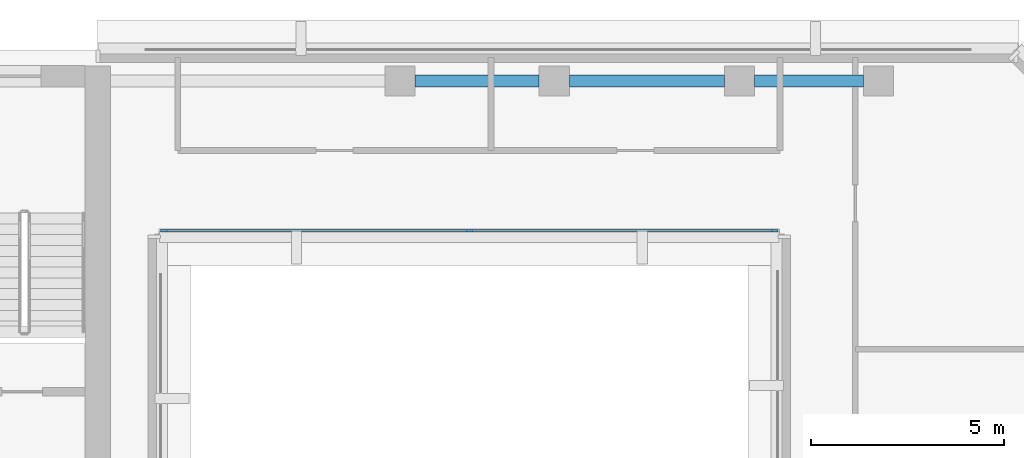
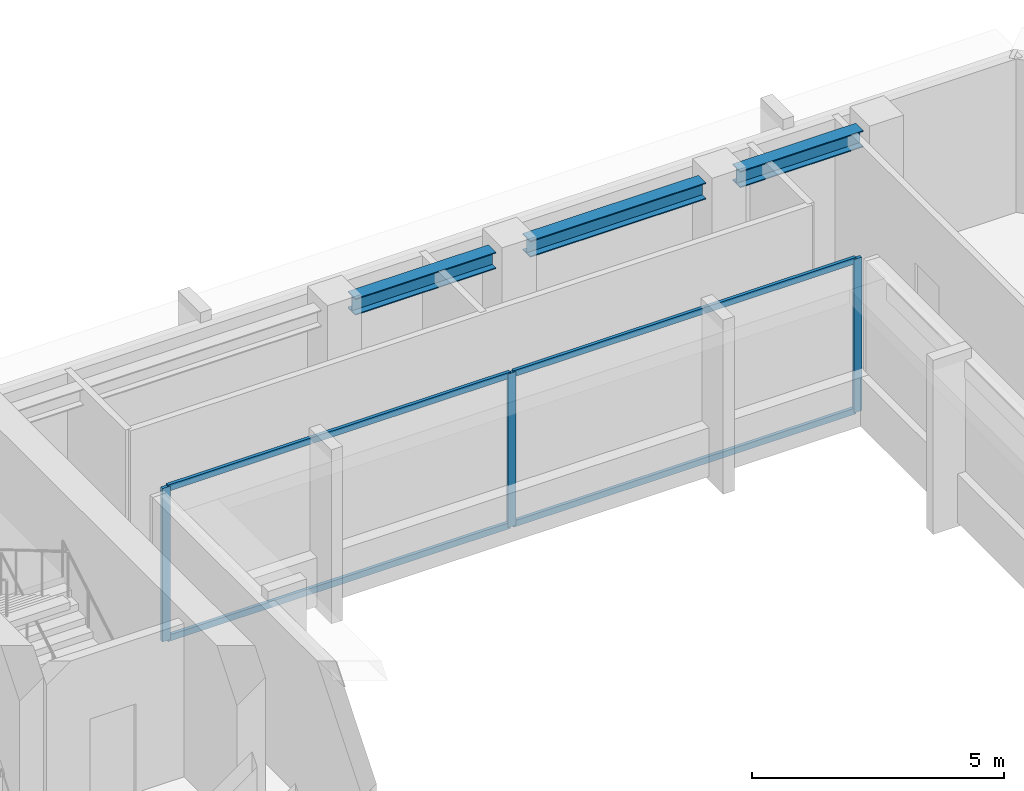
# One storey, part 4 of 11: 7 members, 3 beams, 1 element without a shape of its own.
"""IFC4 building model written with IfcOpenShell, lengths in metres."""

import ifcopenshell
import ifcopenshell.guid

model = None  # the IFC model being written
_history = None  # IfcOwnerHistory: only IFC2X3 demands one
_inside = {}  # id of a spatial element -> (the spatial element, [elements in it])
_under = {}  # id of a project, library or spatial element -> (it, [spatial elements below it])
_declared = {}  # id of a project -> (the project, [libraries it declares])
_typed = {}  # id of a type object -> (the type object, [elements of that type])
_made_of = {}  # id of a material, layer set ... -> (it, [elements and type objects made of it])


def new_model(schema):
    """Start an empty IFC model of exactly this schema.

    Asked for "IFC4X3", IfcOpenShell would pick the latest addendum, in which some entities
    have other attributes; the version numbers below select the first issue.
    IFC2X3 requires an IfcOwnerHistory on every rooted entity: one is made here for all.
    """
    global model, _history
    if schema == "IFC4X3":
        model = ifcopenshell.file(schema_version=(4, 3, 0, 0))
    else:
        model = ifcopenshell.file(schema=schema)
    _inside.clear()
    _under.clear()
    _declared.clear()
    _typed.clear()
    _made_of.clear()
    _history = None
    if model.schema == "IFC2X3":
        org = make("IfcOrganization", Name="unknown")
        user = make(
            "IfcPersonAndOrganization",
            ThePerson=make("IfcPerson", FamilyName="unknown"),
            TheOrganization=org,
        )
        app = make(
            "IfcApplication",
            ApplicationDeveloper=org,
            Version="unknown",
            ApplicationFullName="unknown",
            ApplicationIdentifier="unknown",
        )
        _history = make(
            "IfcOwnerHistory",
            OwningUser=user,
            OwningApplication=app,
            ChangeAction="ADDED",
            CreationDate=0,
        )
    return model


def make(cls, **values):
    """One entity of the class cls with the attributes given. An attribute that is None is left unset."""
    return model.create_entity(
        cls, **{name: value for name, value in values.items() if value is not None}
    )


def rooted(cls, **values):
    """An entity with a GlobalId (a new one), such as an element, a storey or a relation."""
    return make(cls, GlobalId=ifcopenshell.guid.new(), OwnerHistory=_history, **values)


def si_unit(unit_type, name, prefix=None):
    """IfcSIUnit, for example si_unit("LENGTHUNIT", "METRE", prefix="MILLI")."""
    return make("IfcSIUnit", UnitType=unit_type, Prefix=prefix, Name=name)


def assignment(units):
    """IfcUnitAssignment: the units of a project."""
    return None if units is None else make("IfcUnitAssignment", Units=units)


def point(xyz):
    """IfcCartesianPoint."""
    return None if xyz is None else make("IfcCartesianPoint", Coordinates=xyz)


def direction(xyz):
    """IfcDirection."""
    return None if xyz is None else make("IfcDirection", DirectionRatios=xyz)


def frame(location, z_axis=None, x_axis=None):
    """IfcAxis2Placement3D, a coordinate frame: its origin and axes. An axis left out is left unset."""
    return make(
        "IfcAxis2Placement3D",
        Location=point(location),
        Axis=direction(z_axis),
        RefDirection=direction(x_axis),
    )


def frame_2d(location, x_axis=None):
    """IfcAxis2Placement2D, a coordinate frame in the plane: its origin and x axis."""
    return make(
        "IfcAxis2Placement2D", Location=point(location), RefDirection=direction(x_axis)
    )


def origin():
    """The frame at (0, 0, 0) with its axes left unset."""
    return frame((0.0, 0.0, 0.0))


def origin_2d():
    """The frame at (0, 0) in the plane with its x axis left unset."""
    return frame_2d((0.0, 0.0))


def place(relative_to, where):
    """IfcLocalPlacement: puts the frame where relative to a parent placement (None: the world)."""
    return make(
        "IfcLocalPlacement", PlacementRelTo=relative_to, RelativePlacement=where
    )


def context(
    kind, dimensions, precision=None, world=None, true_north=None, identifier=None
):
    """IfcGeometricRepresentationContext, for example the 3D "Model" context."""
    return make(
        "IfcGeometricRepresentationContext",
        ContextIdentifier=identifier,
        ContextType=kind,
        CoordinateSpaceDimension=dimensions,
        Precision=precision,
        WorldCoordinateSystem=world,
        TrueNorth=true_north,
    )


def subcontext(parent, identifier, kind, view, scale=None):
    """IfcGeometricRepresentationSubContext, for example "Body" below "Model"."""
    return make(
        "IfcGeometricRepresentationSubContext",
        ContextIdentifier=identifier,
        ContextType=kind,
        ParentContext=parent,
        TargetScale=scale,
        TargetView=view,
    )


def project(units=None, contexts=None):
    """IfcProject with its units and contexts."""
    return rooted(
        "IfcProject",
        Name="project",
        RepresentationContexts=contexts,
        UnitsInContext=assignment(units),
    )


def spatial(cls, under=None, at=None, **own):
    """A site, building, storey or space (cls), placed at a placement, below another one or the project."""
    s = rooted(cls, ObjectPlacement=at, **own)
    if under is not None:
        _under.setdefault(under.id(), (under, []))[1].append(s)
    return s


def profile(cls, at=None, kind="AREA", **sizes):
    """A parametric profile (cls). Its sizes go by their IFC names, for example OverallWidth=200.0."""
    return make(cls, ProfileType=kind, Position=at, **sizes)


def rectangle(**sizes):
    """IfcRectangleProfileDef."""
    return profile("IfcRectangleProfileDef", **sizes)


def i_section(**sizes):
    """IfcIShapeProfileDef."""
    return profile("IfcIShapeProfileDef", **sizes)


def extrude(swept, where, along, depth):
    """IfcExtrudedAreaSolid: the profile swept, set in the frame where, extruded along a direction by depth."""
    return make(
        "IfcExtrudedAreaSolid",
        SweptArea=swept,
        Position=where,
        ExtrudedDirection=direction(along),
        Depth=depth,
    )


def shape(context_of_items, identifier, shape_type, items):
    """IfcShapeRepresentation: the items that make up one representation, for example the "Body"."""
    return make(
        "IfcShapeRepresentation",
        ContextOfItems=context_of_items,
        RepresentationIdentifier=identifier,
        RepresentationType=shape_type,
        Items=items,
    )


def material(Name=None, Category=None):
    """IfcMaterial."""
    return make("IfcMaterial", Name=Name, Category=Category)


def layer(
    of_material, thickness, ventilated=None, Name=None, Category=None, Priority=None
):
    """IfcMaterialLayer: one layer of a wall or slab, of a material (None: an air gap)."""
    return make(
        "IfcMaterialLayer",
        Material=of_material,
        LayerThickness=thickness,
        IsVentilated=ventilated,
        Name=Name,
        Category=Category,
        Priority=Priority,
    )


def layer_set(layers, Name=None):
    """IfcMaterialLayerSet."""
    return make("IfcMaterialLayerSet", MaterialLayers=layers, LayerSetName=Name)


def material_profile(
    of_material, cross_section, Name=None, Category=None, Priority=None
):
    """IfcMaterialProfile: a cross section and its material."""
    return make(
        "IfcMaterialProfile",
        Name=Name,
        Material=of_material,
        Profile=cross_section,
        Priority=Priority,
        Category=Category,
    )


def profile_set(profiles, Name=None, composite=None):
    """IfcMaterialProfileSet."""
    return make(
        "IfcMaterialProfileSet",
        Name=Name,
        MaterialProfiles=profiles,
        CompositeProfile=composite,
    )


def made_of(thing, what):
    """Note that an element or type object is made of a material, layer set ...; save() writes the relation."""
    if what is not None:
        _made_of.setdefault(what.id(), (what, []))[1].append(thing)
    return thing


def type_object(cls, material=None, **own):
    """A type object (cls), such as IfcWallType, which elements share."""
    return made_of(rooted(cls, **own), material)


def element(
    cls,
    number,
    at=None,
    inside=None,
    cuts=None,
    type_object=None,
    material=None,
    context=None,
    identifier="Body",
    shape_type=None,
    held_by="IfcProductDefinitionShape",
    body=None,
    shapes=None,
    **own,
):
    """One element of the class cls, such as IfcWall. Its Tag is "e" and its number.

    at: its placement. inside: the storey or other place that contains it. cuts: it is an
    opening in that element (IfcRelVoidsElement). A single representation is given by context,
    identifier, shape_type and body (its items); several are given by shapes. held_by: the class
    of the entity that holds the representations. save() writes the other relations.
    """
    e = rooted(cls, Tag="e%d" % number, ObjectPlacement=at, **own)
    if body is not None:
        shapes = [shape(context, identifier, shape_type, body)]
    if shapes is not None:
        e.Representation = make(held_by, Representations=shapes)
    if inside is not None:
        _inside.setdefault(inside.id(), (inside, []))[1].append(e)
    if cuts is not None:
        rooted(
            "IfcRelVoidsElement", RelatingBuildingElement=cuts, RelatedOpeningElement=e
        )
    if type_object is not None:
        _typed.setdefault(type_object.id(), (type_object, []))[1].append(e)
    return made_of(e, material)


def aggregate(whole, parts):
    """IfcRelAggregates: a whole, such as a stair, and the parts it consists of."""
    return rooted("IfcRelAggregates", RelatingObject=whole, RelatedObjects=parts)


def save(model, path):
    """Write the relations noted so far, then the file.

    IfcRelAggregates (storeys below a building ...), IfcRelContainedInSpatialStructure (elements
    in a storey), IfcRelDefinesByType, IfcRelAssociatesMaterial and IfcRelDeclares: one each for
    every whole, place, type object, material and project.
    """
    for whole, parts in _under.values():
        aggregate(whole, parts)
    for where, things in _inside.values():
        rooted(
            "IfcRelContainedInSpatialStructure",
            RelatedElements=things,
            RelatingStructure=where,
        )
    for kind, things in _typed.values():
        rooted("IfcRelDefinesByType", RelatedObjects=things, RelatingType=kind)
    for what, things in _made_of.values():
        rooted("IfcRelAssociatesMaterial", RelatedObjects=things, RelatingMaterial=what)
    for by, libraries in _declared.values():
        rooted("IfcRelDeclares", RelatingContext=by, RelatedDefinitions=libraries)
    model.write(path)


model = new_model("IFC4")

# Units and contexts
model_context = context("Model", 3, precision=1e-05, world=origin(), true_north=direction((0.0, 1.0)))
body_context = subcontext(model_context, "Body", "Model", "MODEL_VIEW")
ifc_project = project(units=[si_unit("LENGTHUNIT", "METRE"), si_unit("AREAUNIT", "SQUARE_METRE"), si_unit("VOLUMEUNIT", "CUBIC_METRE"), si_unit("PLANEANGLEUNIT", "RADIAN"), si_unit("MASSUNIT", "GRAM", prefix="KILO")], contexts=[model_context])

# Site, building, storey
site_placement = place(None, origin())
site = spatial("IfcSite", under=ifc_project, at=site_placement, CompositionType="ELEMENT")
building_placement = place(site_placement, origin())
building = spatial("IfcBuilding", under=site, at=building_placement, Name="Kefirva Bronze Tower", CompositionType="ELEMENT")
storey_placement = place(building_placement, frame((0.0, 0.0, 227.699951171875)))
storey = spatial("IfcBuildingStorey", under=building, at=storey_placement, Name="L55", CompositionType="ELEMENT", Elevation=227.699951171875)

# Curtain wall, members
ifc_material_1 = material(Name="Bronze anodised aluminium", Category="aluminium")
ifc_layer = layer(ifc_material_1, 0.179931640625, Name="Bronze anodised aluminium")
ifc_layer_set = layer_set([ifc_layer], Name="Bronze anodised aluminium")
curtain_wall_type = type_object("IfcCurtainWallType", Name="Unitised Bronze Ribbon Curtain Wall Zone 3", PredefinedType="USERDEFINED", material=ifc_layer_set)
curtain_wall_placement = place(storey_placement, origin())
curtain_wall = element("IfcCurtainWall", 1, at=curtain_wall_placement, inside=storey, type_object=curtain_wall_type, Name="L55 Curtain Wall 2", ObjectType="UNITISED CURTAIN WALL", PredefinedType="USERDEFINED")
ifc_material_profile_1 = material_profile(ifc_material_1, rectangle(XDim=0.074951171875, YDim=0.179931640625, at=origin_2d()), Name="ALU 75x180")
ifc_profile_set_1 = profile_set([ifc_material_profile_1], Name="Bronze anodised aluminium")
member_type_1 = type_object("IfcMemberType", Name="Bronze Mullion 75x180", PredefinedType="MULLION", material=ifc_profile_set_1)
member_1_placement = place(storey_placement, frame((25.092529296875, 41.320068359375, 0.0), z_axis=(0.0, 0.0, 1.0), x_axis=(0.0, 1.0, 0.0)))
member_1 = element("IfcMember", 2, at=member_1_placement, type_object=member_type_1, Name="CW-03 mullion 1", PredefinedType="MULLION", context=body_context, shape_type="SweptSolid", body=[
    extrude(rectangle(XDim=0.074951171875, YDim=0.179931640625, at=origin_2d()), origin(), (0.0, 0.0, 1.0), 3.7099609375),
])
member_2_placement = place(storey_placement, frame((33.0, 41.320068359375, 0.0), z_axis=(0.0, 0.0, 1.0), x_axis=(0.0, 1.0, 0.0)))
member_2 = element("IfcMember", 3, at=member_2_placement, type_object=member_type_1, Name="CW-03 mullion 2", PredefinedType="MULLION", context=body_context, shape_type="SweptSolid", body=[
    extrude(rectangle(XDim=0.074951171875, YDim=0.179931640625, at=origin_2d()), origin(), (0.0, 0.0, 1.0), 3.7099609375),
])
member_3_placement = place(storey_placement, frame((40.907470703125, 41.320068359375, 0.0), z_axis=(0.0, 0.0, 1.0), x_axis=(0.0, 1.0, 0.0)))
member_3 = element("IfcMember", 4, at=member_3_placement, type_object=member_type_1, Name="CW-03 mullion 3", PredefinedType="MULLION", context=body_context, shape_type="SweptSolid", body=[
    extrude(rectangle(XDim=0.074951171875, YDim=0.179931640625, at=origin_2d()), origin(), (0.0, 0.0, 1.0), 3.7099609375),
])
ifc_material_profile_2 = material_profile(ifc_material_1, rectangle(XDim=0.074951171875, YDim=0.14990234375, at=origin_2d()), Name="ALU 75x150")
ifc_profile_set_2 = profile_set([ifc_material_profile_2], Name="Bronze anodised aluminium")
member_type_2 = type_object("IfcMemberType", Name="Bronze Transom 75x150", PredefinedType="USERDEFINED", material=ifc_profile_set_2)
member_4_placement = place(storey_placement, frame((25.1298828125, 41.320068359375, 0.03759765625), z_axis=(1.0, 0.0, 0.0), x_axis=(0.0, 1.0, 0.0)))
member_4 = element("IfcMember", 5, at=member_4_placement, type_object=member_type_2, Name="CW-03 transom 1.1", ObjectType="TRANSOM", PredefinedType="USERDEFINED", context=body_context, shape_type="SweptSolid", body=[
    extrude(rectangle(XDim=0.074951171875, YDim=0.14990234375, at=origin_2d()), origin(), (0.0, 0.0, 1.0), 7.83251953125),
])
member_5_placement = place(storey_placement, frame((25.1298828125, 41.320068359375, 3.672607421875), z_axis=(1.0, 0.0, 0.0), x_axis=(0.0, 1.0, 0.0)))
member_5 = element("IfcMember", 6, at=member_5_placement, type_object=member_type_2, Name="CW-03 transom 1.2", ObjectType="TRANSOM", PredefinedType="USERDEFINED", context=body_context, shape_type="SweptSolid", body=[
    extrude(rectangle(XDim=0.074951171875, YDim=0.14990234375, at=origin_2d()), origin(), (0.0, 0.0, 1.0), 7.83251953125),
])
member_6_placement = place(storey_placement, frame((33.03759765625, 41.320068359375, 0.03759765625), z_axis=(1.0, 0.0, 0.0), x_axis=(0.0, 1.0, 0.0)))
member_6 = element("IfcMember", 7, at=member_6_placement, type_object=member_type_2, Name="CW-03 transom 2.1", ObjectType="TRANSOM", PredefinedType="USERDEFINED", context=body_context, shape_type="SweptSolid", body=[
    extrude(rectangle(XDim=0.074951171875, YDim=0.14990234375, at=origin_2d()), origin(), (0.0, 0.0, 1.0), 7.83251953125),
])
member_7_placement = place(storey_placement, frame((33.03759765625, 41.320068359375, 3.672607421875), z_axis=(1.0, 0.0, 0.0), x_axis=(0.0, 1.0, 0.0)))
member_7 = element("IfcMember", 8, at=member_7_placement, type_object=member_type_2, Name="CW-03 transom 2.2", ObjectType="TRANSOM", PredefinedType="USERDEFINED", context=body_context, shape_type="SweptSolid", body=[
    extrude(rectangle(XDim=0.074951171875, YDim=0.14990234375, at=origin_2d()), origin(), (0.0, 0.0, 1.0), 7.83251953125),
])
aggregate(curtain_wall, [member_1, member_2, member_3, member_4, member_5, member_6, member_7])

# Beams
ifc_material_2 = material(Name="Steel S355", Category="steel")
ifc_material_profile_3 = material_profile(ifc_material_2, i_section(OverallWidth=0.300048828125, OverallDepth=0.39990234375, WebThickness=0.013427734375, FlangeThickness=0.02392578125, at=origin_2d()), Name="HEB 400")
ifc_profile_set_3 = profile_set([ifc_material_profile_3], Name="Steel S355")
beam_type = type_object("IfcBeamType", Name="Steel Spandrel HEB 400 Ext", PredefinedType="SPANDREL", material=ifc_profile_set_3)
beam_1_placement = place(storey_placement, frame((31.590087890625, 45.199951171875, 3.510009765625), z_axis=(1.0, 0.0, 0.0), x_axis=(0.0, 1.0, 0.0)))
element("IfcBeam", 9, at=beam_1_placement, inside=storey, type_object=beam_type, Name="L55 BM-L55-EW-31-452", PredefinedType="SPANDREL", context=body_context, shape_type="SweptSolid", body=[
    extrude(i_section(OverallWidth=0.300048828125, OverallDepth=0.39990234375, WebThickness=0.013427734375, FlangeThickness=0.02392578125, at=origin_2d()), origin(), (0.0, 0.0, 1.0), 3.219970703125),
])
beam_2_placement = place(storey_placement, frame((35.590087890625, 45.199951171875, 3.510009765625), z_axis=(1.0, 0.0, 0.0), x_axis=(0.0, 1.0, 0.0)))
element("IfcBeam", 10, at=beam_2_placement, inside=storey, type_object=beam_type, Name="L55 BM-L55-EW-35-452", PredefinedType="SPANDREL", context=body_context, shape_type="SweptSolid", body=[
    extrude(i_section(OverallWidth=0.300048828125, OverallDepth=0.39990234375, WebThickness=0.013427734375, FlangeThickness=0.02392578125, at=origin_2d()), origin(), (0.0, 0.0, 1.0), 4.02001953125),
])
beam_3_placement = place(storey_placement, frame((40.389892578125, 45.199951171875, 3.510009765625), z_axis=(1.0, 0.0, 0.0), x_axis=(0.0, 1.0, 0.0)))
element("IfcBeam", 11, at=beam_3_placement, inside=storey, type_object=beam_type, Name="L55 BM-L55-EW-40-452", PredefinedType="SPANDREL", context=body_context, shape_type="SweptSolid", body=[
    extrude(i_section(OverallWidth=0.300048828125, OverallDepth=0.39990234375, WebThickness=0.013427734375, FlangeThickness=0.02392578125, at=origin_2d()), origin(), (0.0, 0.0, 1.0), 2.820068359375),
])

save(model, "model.ifc")
